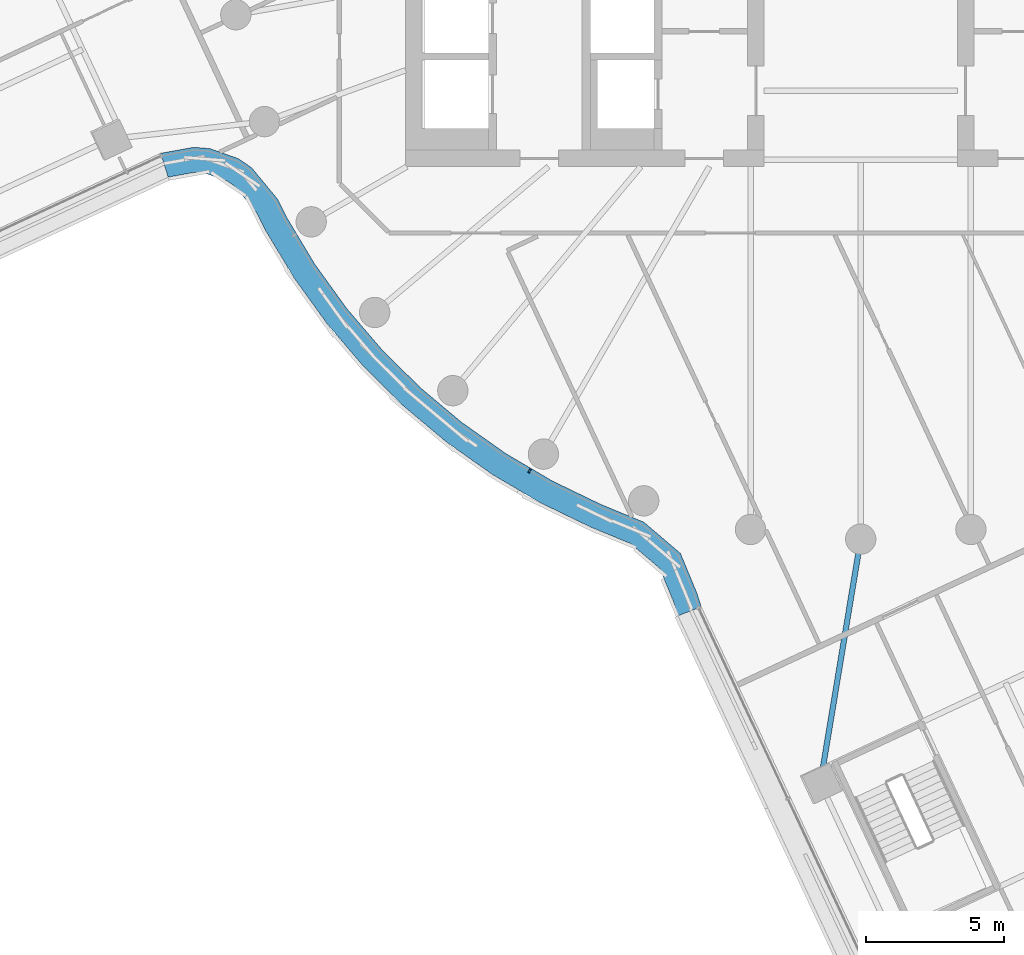
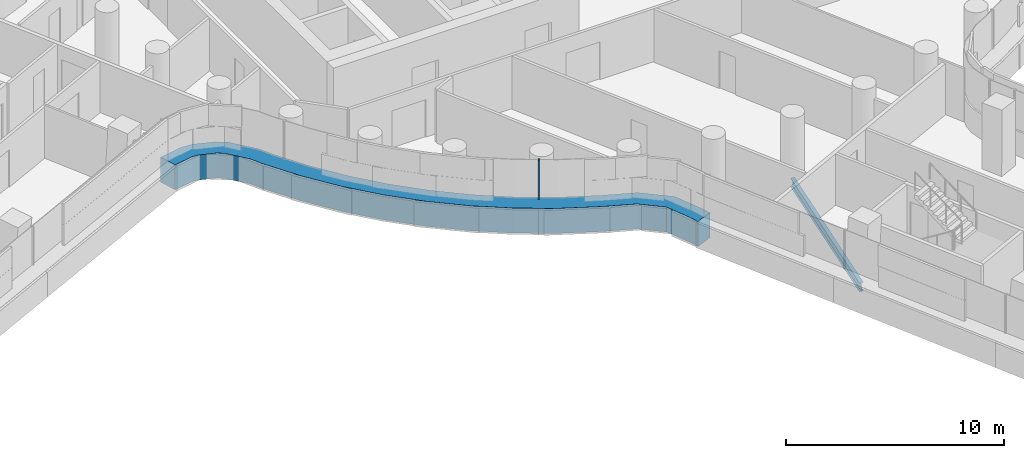
# One storey, part 4 of 36: 2 members, 1 beam, 1 element without a shape of its own.
"""IFC4 building model written with IfcOpenShell, lengths in metres."""

from ifc_helpers import new_model, si_unit, direction, frame, origin, origin_2d, place, context, subcontext, project, spatial, polyline, rectangle, i_section, outline, extrude, material, layer, layer_set, material_profile, profile_set, type_object, element, aggregate, save


model = new_model("IFC4")

# Units and contexts
model_context = context("Model", 3, precision=1e-05, world=origin(), true_north=direction((0.0, 1.0)))
body_context = subcontext(model_context, "Body", "Model", "MODEL_VIEW")
ifc_project = project(units=[si_unit("LENGTHUNIT", "METRE"), si_unit("AREAUNIT", "SQUARE_METRE"), si_unit("VOLUMEUNIT", "CUBIC_METRE"), si_unit("PLANEANGLEUNIT", "RADIAN"), si_unit("MASSUNIT", "GRAM", prefix="KILO")], contexts=[model_context])

# Site, building, storey
site_placement = place(None, origin())
site = spatial("IfcSite", under=ifc_project, at=site_placement, CompositionType="ELEMENT")
building_placement = place(site_placement, origin())
building = spatial("IfcBuilding", under=site, at=building_placement, Name="Tamarind Cross Interchange Tower", CompositionType="ELEMENT")
storey_placement = place(building_placement, frame((0.0, 0.0, 124.75)))
storey = spatial("IfcBuildingStorey", under=building, at=storey_placement, Name="L30", CompositionType="ELEMENT", Elevation=124.75)

# Beam
ifc_material_1 = material(Name="Steel Q355B", Category="steel")
ifc_material_profile_1 = material_profile(ifc_material_1, i_section(OverallWidth=0.198974609375, OverallDepth=0.49609375, WebThickness=0.009033203125, FlangeThickness=0.013916015625, FilletRadius=0.012939453125, at=origin_2d()), Name="HN 496x199x9x14")
ifc_profile_set_1 = profile_set([ifc_material_profile_1], Name="Steel Q355B")
beam_type = type_object("IfcBeamType", Name="Composite beam HN 496x199x9x14 Q355B", PredefinedType="BEAM", material=ifc_profile_set_1)
beam_placement = place(storey_placement, frame((-1.464111328125, -31.8486328125, -0.387939453125), z_axis=(0.16324236364, 0.986585997627, 0.0), x_axis=(-0.986585997627, 0.16324236364, 0.0)))
element("IfcBeam", 1, at=beam_placement, inside=storey, type_object=beam_type, Name="Beam S-linkem", PredefinedType="BEAM", context=body_context, shape_type="SweptSolid", body=[
    extrude(i_section(OverallWidth=0.198974609375, OverallDepth=0.49609375, WebThickness=0.009033203125, FlangeThickness=0.013916015625, FilletRadius=0.012939453125, at=origin_2d()), origin(), (0.0, 0.0, 1.0), 8.968994140625),
])

# Curtain wall, members
ifc_material_2 = material(Name="Aluminium 6063-T6", Category="aluminium")
ifc_layer = layer(ifc_material_2, 0.159912109375)
ifc_layer_set = layer_set([ifc_layer], Name="Aluminium 6063-T6")
curtain_wall_type = type_object("IfcCurtainWallType", Name="Office curtain wall, 9.0 m bays", PredefinedType="NOTDEFINED", material=ifc_layer_set)
curtain_wall_placement = place(storey_placement, origin())
curtain_wall = element("IfcCurtainWall", 2, at=curtain_wall_placement, inside=storey, type_object=curtain_wall_type, Name="CWS-L30-02", PredefinedType="NOTDEFINED")
ifc_material_3 = material(Name="Aluminium and insulated spandrel panel", Category="aluminium")
member_type_1 = type_object("IfcMemberType", Name="Floor-edge blade transom", PredefinedType="USERDEFINED", material=ifc_material_3)
member_1_placement = place(storey_placement, origin())
member_1 = element("IfcMember", 3, at=member_1_placement, type_object=member_type_1, Name="CWT-L30-02", ObjectType="TRANSOM", PredefinedType="USERDEFINED", context=body_context, shape_type="SweptSolid", body=[
    extrude(outline(polyline([(-25.378662109375, -9.0146484375), (-24.173828125, -8.797119140625), (-23.59423828125, -8.84375), (-22.562744140625, -9.207763671875), (-22.0791015625, -9.537353515625), (-21.13818359375, -10.67724609375), (-20.79150390625, -11.366455078125), (-19.78125, -13.045654296875), (-18.636474609375, -14.634521484375), (-17.3642578125, -16.12353515625), (-15.973388671875, -17.50244140625), (-14.4736328125, -18.76171875), (-12.874755859375, -19.892822265625), (-11.188232421875, -20.88818359375), (-9.421630859375, -21.7421875), (-7.85986328125, -22.38720703125), (-6.53662109375, -23.5146484375), (-5.936767578125, -24.962158203125), (-5.78125, -25.45361328125), (-6.621337890625, -25.781494140625), (-6.783203125, -25.27099609375), (-7.28515625, -24.05908203125), (-8.335205078125, -23.164794921875), (-9.789794921875, -22.56396484375), (-11.613525390625, -21.68212890625), (-13.3642578125, -20.64892578125), (-15.023681640625, -19.474853515625), (-16.580810546875, -18.167724609375), (-18.0244140625, -16.736572265625), (-19.344970703125, -15.19091796875), (-20.533203125, -13.54150390625), (-21.580322265625, -11.801513671875), (-21.896728515625, -11.172119140625), (-22.69189453125, -10.208984375), (-22.97265625, -10.017578125), (-23.783203125, -9.7314453125), (-24.129150390625, -9.70361328125), (-25.10400390625, -9.879638671875), (-25.378662109375, -9.0146484375)])), origin(), (0.0, 0.0, 1.0), 1.39990234375),
])
ifc_material_profile_2 = material_profile(ifc_material_2, rectangle(XDim=0.06005859375, YDim=0.159912109375, at=origin_2d()), Name="Mullion CW1")
ifc_profile_set_2 = profile_set([ifc_material_profile_2], Name="Aluminium 6063-T6")
member_type_2 = type_object("IfcMemberType", Name="Mullion CW1", PredefinedType="MULLION", material=ifc_profile_set_2)
member_2_placement = place(storey_placement, frame((-12.0009765625, -20.524658203125, 1.39990234375), z_axis=(0.0, 0.0, 1.0), x_axis=(0.861248933065, -0.508183308752, 0.0)))
member_2 = element("IfcMember", 4, at=member_2_placement, type_object=member_type_2, Name="CWM-L30-02-02", PredefinedType="MULLION", context=body_context, shape_type="SweptSolid", body=[
    extrude(rectangle(XDim=0.06005859375, YDim=0.159912109375, at=origin_2d()), origin(), (0.0, 0.0, 1.0), 2.170166015625),
])
aggregate(curtain_wall, [member_2, member_1])

save(model, "model.ifc")
